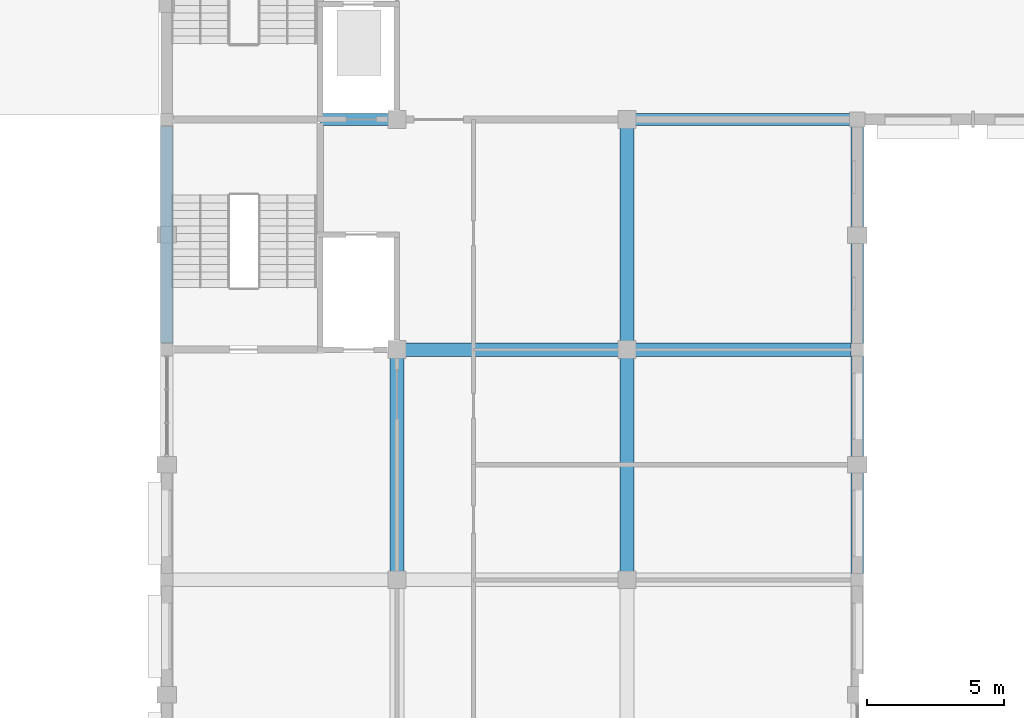
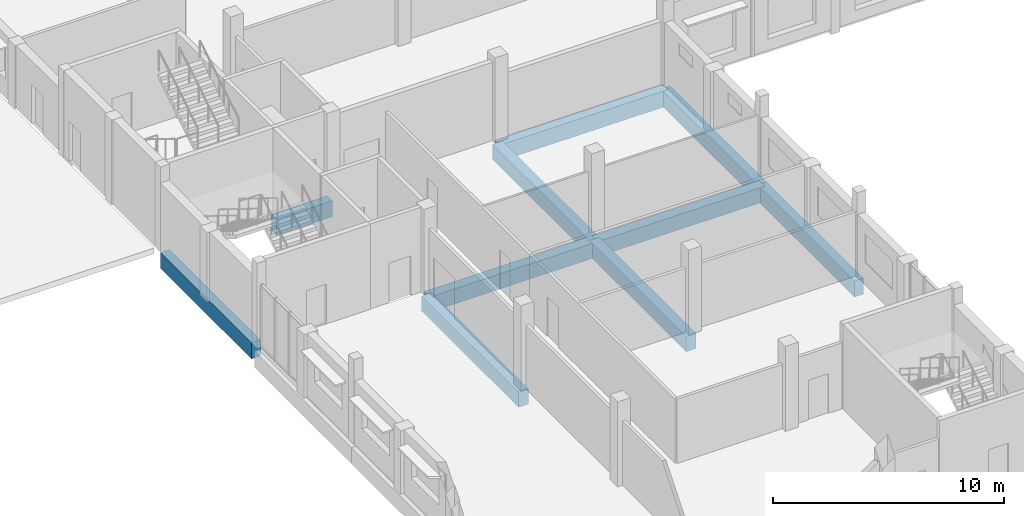
# One storey, part 40 of 101: 10 beams.
"""IFC4 building model written with IfcOpenShell, lengths in metres."""

from ifc_helpers import new_model, si_unit, direction, frame, origin, origin_2d, place, context, subcontext, project, spatial, rectangle, extrude, material, material_profile, profile_set, type_object, element, save


model = new_model("IFC4")

# Units and contexts
model_context = context("Model", 3, precision=1e-05, world=origin(), true_north=direction((0.0, 1.0)))
body_context = subcontext(model_context, "Body", "Model", "MODEL_VIEW")
ifc_project = project(units=[si_unit("LENGTHUNIT", "METRE"), si_unit("AREAUNIT", "SQUARE_METRE"), si_unit("VOLUMEUNIT", "CUBIC_METRE"), si_unit("PLANEANGLEUNIT", "RADIAN"), si_unit("MASSUNIT", "GRAM", prefix="KILO")], contexts=[model_context])

# Site, building, storey
site_placement = place(None, origin())
site = spatial("IfcSite", under=ifc_project, at=site_placement, CompositionType="ELEMENT")
building_placement = place(site_placement, origin())
building = spatial("IfcBuilding", under=site, at=building_placement, Name="Fescue Hill Polytechnic", CompositionType="ELEMENT")
storey_placement = place(building_placement, frame((0.0, 0.0, 9.0)))
storey = spatial("IfcBuildingStorey", under=building, at=storey_placement, Name="L02", CompositionType="ELEMENT", Elevation=9.0)

# Beams
ifc_material = material(Name="Concrete 35 MPa", Category="concrete")
ifc_material_profile_1 = material_profile(ifc_material, rectangle(XDim=0.449951171875, YDim=0.85009765625, at=origin_2d()), Name="RC 450x850")
ifc_profile_set_1 = profile_set([ifc_material_profile_1], Name="Concrete 35 MPa")
beam_type_1 = type_object("IfcBeamType", Name="Beam RC 450x850", PredefinedType="BEAM", material=ifc_profile_set_1)
beam_1_placement = place(storey_placement, frame((5.60009765625, 109.199951171875, -0.72509765625), z_axis=(1.0, 0.0, 0.0), x_axis=(0.0, 1.0, 0.0)))
element("IfcBeam", 1, at=beam_1_placement, inside=storey, type_object=beam_type_1, Name="BM-L02-0014", PredefinedType="BEAM", context=body_context, shape_type="SweptSolid", body=[
    extrude(rectangle(XDim=0.449951171875, YDim=0.85009765625, at=origin_2d()), origin(), (0.0, 0.0, 1.0), 2.7998046875),
])
beam_2_placement = place(storey_placement, frame((16.800048828125, 109.199951171875, -0.72509765625), z_axis=(1.0, 0.0, 0.0), x_axis=(0.0, 1.0, 0.0)))
element("IfcBeam", 2, at=beam_2_placement, inside=storey, type_object=beam_type_1, Name="BM-L02-0041", PredefinedType="BEAM", context=body_context, shape_type="SweptSolid", body=[
    extrude(rectangle(XDim=0.449951171875, YDim=0.85009765625, at=origin_2d()), origin(), (0.0, 0.0, 1.0), 8.39990234375),
])
beam_3_placement = place(storey_placement, frame((25.199951171875, 92.39990234375, -0.72509765625), z_axis=(0.0, 1.0, 0.0), x_axis=(-1.0, 0.0, 0.0)))
element("IfcBeam", 3, at=beam_3_placement, inside=storey, type_object=beam_type_1, Name="BM-L02-0056", PredefinedType="BEAM", context=body_context, shape_type="SweptSolid", body=[
    extrude(rectangle(XDim=0.449951171875, YDim=0.85009765625, at=origin_2d()), origin(), (0.0, 0.0, 1.0), 8.400146484375),
])
beam_4_placement = place(storey_placement, frame((25.199951171875, 100.800048828125, -0.72509765625), z_axis=(0.0, 1.0, 0.0), x_axis=(-1.0, 0.0, 0.0)))
element("IfcBeam", 4, at=beam_4_placement, inside=storey, type_object=beam_type_1, Name="BM-L02-0057", PredefinedType="BEAM", context=body_context, shape_type="SweptSolid", body=[
    extrude(rectangle(XDim=0.449951171875, YDim=0.85009765625, at=origin_2d()), origin(), (0.0, 0.0, 1.0), 8.39990234375),
])
beam_5_placement = place(storey_placement, frame((0.0, 101.050048828125, -0.425048828125), z_axis=(0.0, 1.0, 0.0), x_axis=(-1.0, 0.0, 0.0)))
element("IfcBeam", 5, at=beam_5_placement, inside=storey, type_object=beam_type_1, Name="BM-L02-0144", PredefinedType="BEAM", context=body_context, shape_type="SweptSolid", body=[
    extrude(rectangle(XDim=0.449951171875, YDim=0.85009765625, at=origin_2d()), origin(), (0.0, 0.0, 1.0), 7.89990234375),
])
ifc_material_profile_2 = material_profile(ifc_material, rectangle(XDim=0.5, YDim=0.800048828125, at=origin_2d()), Name="RC 500x800")
ifc_profile_set_2 = profile_set([ifc_material_profile_2], Name="Concrete 35 MPa")
beam_type_2 = type_object("IfcBeamType", Name="Beam RC 500x800", PredefinedType="BEAM", material=ifc_profile_set_2)
beam_6_placement = place(storey_placement, frame((8.39990234375, 92.39990234375, -0.699951171875), z_axis=(0.0, 1.0, 0.0), x_axis=(-1.0, 0.0, 0.0)))
element("IfcBeam", 6, at=beam_6_placement, inside=storey, type_object=beam_type_2, Name="BM-L02-0022", PredefinedType="BEAM", context=body_context, shape_type="SweptSolid", body=[
    extrude(rectangle(XDim=0.5, YDim=0.800048828125, at=origin_2d()), origin(), (0.0, 0.0, 1.0), 8.400146484375),
])
beam_7_placement = place(storey_placement, frame((8.409912109375, 100.800048828125, -0.699951171875), z_axis=(1.0, 0.0, 0.0), x_axis=(0.0, 1.0, 0.0)))
element("IfcBeam", 7, at=beam_7_placement, inside=storey, type_object=beam_type_2, Name="BM-L02-0031", PredefinedType="BEAM", context=body_context, shape_type="SweptSolid", body=[
    extrude(rectangle(XDim=0.5, YDim=0.800048828125, at=origin_2d()), origin(), (0.0, 0.0, 1.0), 8.380126953125),
])
beam_8_placement = place(storey_placement, frame((16.800048828125, 92.39990234375, -0.699951171875), z_axis=(0.0, 1.0, 0.0), x_axis=(-1.0, 0.0, 0.0)))
element("IfcBeam", 8, at=beam_8_placement, inside=storey, type_object=beam_type_2, Name="BM-L02-0039", PredefinedType="BEAM", context=body_context, shape_type="SweptSolid", body=[
    extrude(rectangle(XDim=0.5, YDim=0.800048828125, at=origin_2d()), origin(), (0.0, 0.0, 1.0), 8.400146484375),
])
beam_9_placement = place(storey_placement, frame((16.800048828125, 100.800048828125, -0.699951171875), z_axis=(0.0, 1.0, 0.0), x_axis=(-1.0, 0.0, 0.0)))
element("IfcBeam", 9, at=beam_9_placement, inside=storey, type_object=beam_type_2, Name="BM-L02-0040", PredefinedType="BEAM", context=body_context, shape_type="SweptSolid", body=[
    extrude(rectangle(XDim=0.5, YDim=0.800048828125, at=origin_2d()), origin(), (0.0, 0.0, 1.0), 8.39990234375),
])
beam_10_placement = place(storey_placement, frame((16.81005859375, 100.800048828125, -0.699951171875), z_axis=(1.0, 0.0, 0.0), x_axis=(0.0, 1.0, 0.0)))
element("IfcBeam", 10, at=beam_10_placement, inside=storey, type_object=beam_type_2, Name="BM-L02-0050", PredefinedType="BEAM", context=body_context, shape_type="SweptSolid", body=[
    extrude(rectangle(XDim=0.5, YDim=0.800048828125, at=origin_2d()), origin(), (0.0, 0.0, 1.0), 8.3798828125),
])

save(model, "model.ifc")
